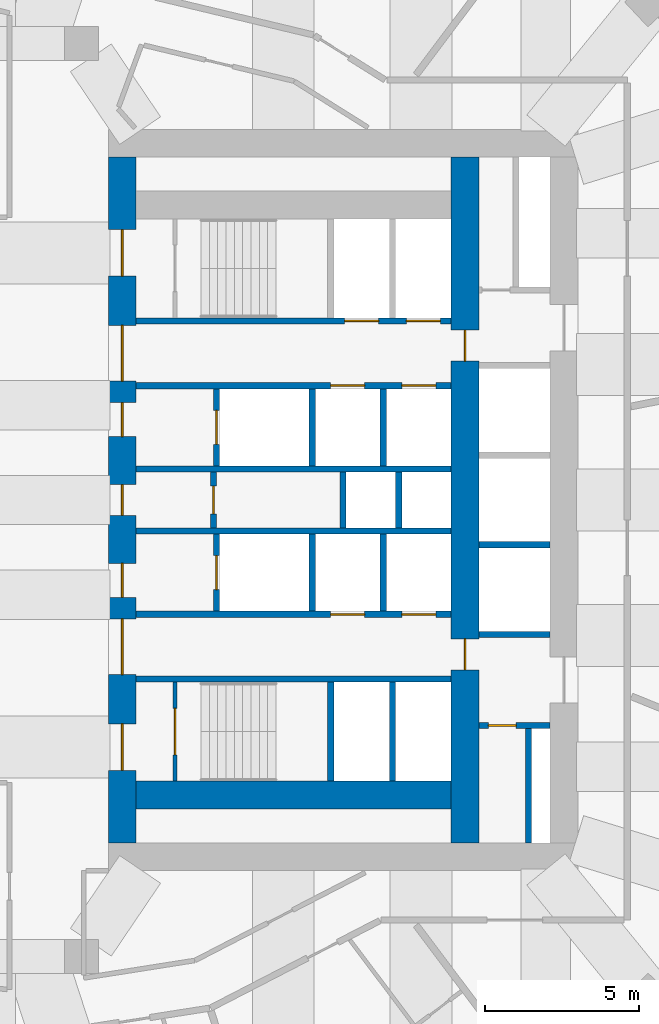
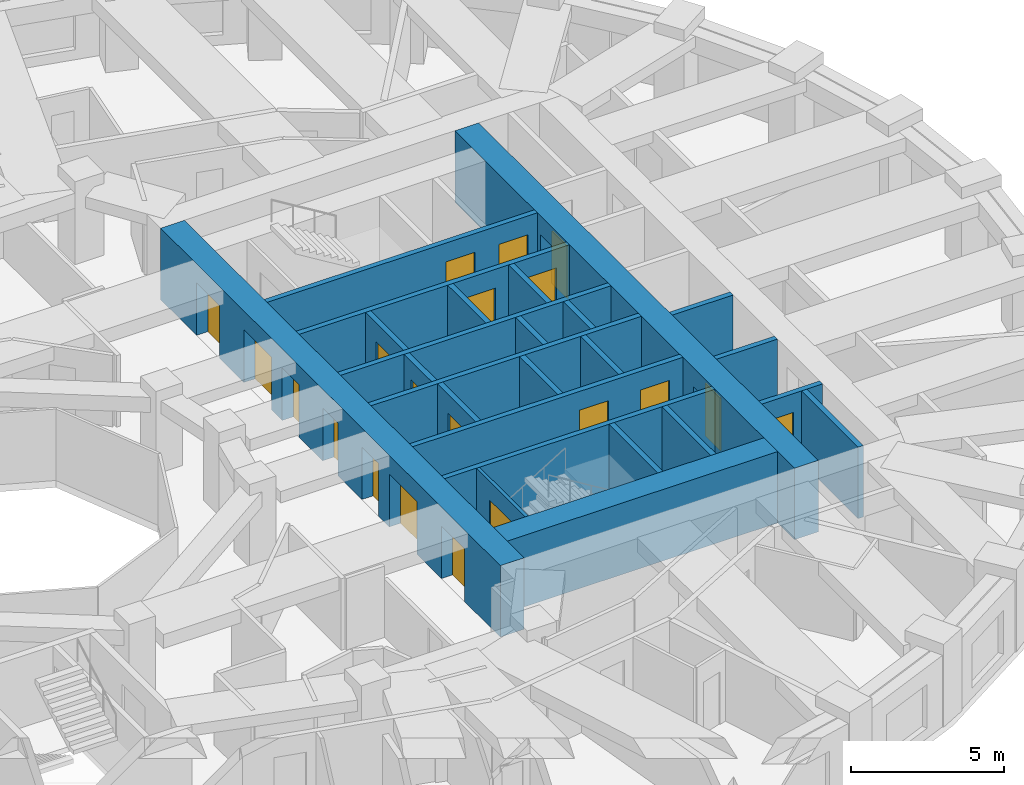
# One storey, part 6 of 13: 25 walls, 20 doors, 20 openings.
"""IFC4 building model written with IfcOpenShell, lengths in metres."""

from ifc_helpers import new_model, si_unit, direction, frame, frame_2d, origin, place, context, subcontext, project, spatial, rectangle, extrude, material, layer, layer_set, type_object, element, fill, save


model = new_model("IFC4")

# Units and contexts
model_context = context("Model", 3, precision=1e-05, world=origin(), true_north=direction((0.0, 1.0)))
body_context = subcontext(model_context, "Body", "Model", "MODEL_VIEW")
ifc_project = project(units=[si_unit("LENGTHUNIT", "METRE"), si_unit("AREAUNIT", "SQUARE_METRE"), si_unit("VOLUMEUNIT", "CUBIC_METRE"), si_unit("PLANEANGLEUNIT", "RADIAN"), si_unit("MASSUNIT", "GRAM", prefix="KILO")], contexts=[model_context])

# Site, building, storey
site_placement = place(None, origin())
site = spatial("IfcSite", under=ifc_project, at=site_placement, CompositionType="ELEMENT")
building_placement = place(site_placement, origin())
building = spatial("IfcBuilding", under=site, at=building_placement, Name="Taillehof Tower", CompositionType="ELEMENT")
storey_placement = place(building_placement, frame((0.0, 0.0, 81.10009765625)))
storey = spatial("IfcBuildingStorey", under=building, at=storey_placement, Name="L22", CompositionType="ELEMENT", Elevation=81.10009765625)

# Wall, opening, door
ifc_material_1 = material(Name="Calcium silicate masonry", Category="masonry")
ifc_layer_1 = layer(ifc_material_1, 0.199951171875)
ifc_layer_set_1 = layer_set([ifc_layer_1], Name="Compartment wall calcium silicate 200")
wall_type_1 = type_object("IfcWallType", Name="Compartment wall calcium silicate 200", PredefinedType="PARTITIONING", material=ifc_layer_set_1)
wall_1_placement = place(storey_placement, frame((7.39990234375, -0.89990234375, 0.0), z_axis=(0.0, 0.0, 1.0), x_axis=(0.0, 1.0, 0.0)))
wall_1 = element("IfcWall", 1, at=wall_1_placement, inside=storey, type_object=wall_type_1, Name="Compartment wall FW", PredefinedType="PARTITIONING", context=body_context, shape_type="SweptSolid", body=[
    extrude(rectangle(XDim=1.7998046875, YDim=0.199951171875, at=frame_2d((0.89990234375, 0.0))), origin(), (0.0, 0.0, 1.0), 2.849853515625),
])
opening_1_placement = place(wall_1_placement, frame((0.449951171875, 0.0, 0.0)))
opening_1 = element("IfcOpeningElement", 2, at=opening_1_placement, cuts=wall_1, Name="Opening D2214", PredefinedType="OPENING", context=body_context, shape_type="SweptSolid", body=[
    extrude(rectangle(XDim=0.89990234375, YDim=2.10009765625, at=frame_2d((0.449951171875, 1.050048828125))), frame((0.0, 0.10986328125, 0.0), z_axis=(0.0, -1.0, 0.0), x_axis=(1.0, 0.0, 0.0)), (0.0, 0.0, 1.0), 0.219970703125),
])
ifc_material_2 = material(Name="Steel-faced fire door", Category="steel")
door_type_1 = type_object("IfcDoorType", Name="Riser and service room door 900x2100", OperationType="SINGLE_SWING_LEFT", PredefinedType="DOOR", material=ifc_material_2)
door_1_placement = place(opening_1_placement, origin())
door_1 = element("IfcDoor", 3, at=door_1_placement, inside=storey, type_object=door_type_1, Name="Door Bms Room", OperationType="SINGLE_SWING_RIGHT", OverallHeight=2.10009765625, OverallWidth=0.89990234375, PredefinedType="DOOR", context=body_context, shape_type="SweptSolid", body=[
    extrude(rectangle(XDim=0.89990234375, YDim=2.10009765625, at=frame_2d((0.449951171875, 1.050048828125))), frame((0.0, 0.02490234375, 0.0), z_axis=(0.0, -1.0, 0.0), x_axis=(1.0, 0.0, 0.0)), (0.0, 0.0, 1.0), 0.050048828125),
])
fill(opening_1, door_1)

# Walls
for number, where, z_axis, x_axis, name in (
    (4, (11.60009765625, -0.89990234375, 0.0), (0.0, 0.0, 1.0), (0.0, 1.0, 0.0), "Compartment wall FW"),
    (5, (13.39990234375, -0.89990234375, 0.0), (0.0, 0.0, 1.0), (0.0, 1.0, 0.0), "Compartment wall FW"),
):
    element("IfcWall", number, at=place(storey_placement, frame(where, z_axis=z_axis, x_axis=x_axis)), inside=storey, type_object=wall_type_1, Name=name, PredefinedType="PARTITIONING", context=body_context, shape_type="SweptSolid", body=[
        extrude(rectangle(XDim=1.7998046875, YDim=0.199951171875, at=frame_2d((0.89990234375, 0.0))), origin(), (0.0, 0.0, 1.0), 2.849853515625),
    ])

# Wall, opening, door
wall_2_placement = place(storey_placement, frame((16.0, -7.300048828125, 0.0), z_axis=(0.0, 0.0, 1.0), x_axis=(1.0, 0.0, 0.0)))
wall_2 = element("IfcWall", 6, at=wall_2_placement, inside=storey, type_object=wall_type_1, Name="Compartment wall FW", PredefinedType="PARTITIONING", context=body_context, shape_type="SweptSolid", body=[
    extrude(rectangle(XDim=2.300048828125, YDim=0.199951171875, at=frame_2d((1.14990234375, 0.0))), origin(), (0.0, 0.0, 1.0), 2.849853515625),
])
opening_2_placement = place(wall_2_placement, frame((0.300048828125, 0.0, 0.0)))
opening_2 = element("IfcOpeningElement", 7, at=opening_2_placement, cuts=wall_2, Name="Opening D2218", PredefinedType="OPENING", context=body_context, shape_type="SweptSolid", body=[
    extrude(rectangle(XDim=0.89990234375, YDim=2.10009765625, at=frame_2d((0.449951171875, 1.050048828125))), frame((0.0, 0.10986328125, 0.0), z_axis=(0.0, -1.0, 0.0), x_axis=(1.0, 0.0, 0.0)), (0.0, 0.0, 1.0), 0.219970703125),
])
door_2_placement = place(opening_2_placement, origin())
door_2 = element("IfcDoor", 8, at=door_2_placement, inside=storey, type_object=door_type_1, Name="Door Battery Room", OperationType="SINGLE_SWING_LEFT", OverallHeight=2.10009765625, OverallWidth=0.89990234375, PredefinedType="DOOR", context=body_context, shape_type="SweptSolid", body=[
    extrude(rectangle(XDim=0.89990234375, YDim=2.10009765625, at=frame_2d((0.449951171875, 1.050048828125))), frame((0.0, 0.02490234375, 0.0), z_axis=(0.0, -1.0, 0.0), x_axis=(1.0, 0.0, 0.0)), (0.0, 0.0, 1.0), 0.050048828125),
])
fill(opening_2, door_2)

# Wall
wall_3_placement = place(storey_placement, frame((17.60009765625, -11.10009765625, 0.0), z_axis=(0.0, 0.0, 1.0), x_axis=(0.0, 1.0, 0.0)))
element("IfcWall", 9, at=wall_3_placement, inside=storey, type_object=wall_type_1, Name="Compartment wall FW", PredefinedType="PARTITIONING", context=body_context, shape_type="SweptSolid", body=[
    extrude(rectangle(XDim=3.7001953125, YDim=0.199951171875, at=frame_2d((1.85009765625, 0.0))), origin(), (0.0, 0.0, 1.0), 2.849853515625),
])

# Wall, openings, doors
ifc_material_3 = material(Name="Concrete C80/95", Category="concrete")
ifc_layer_2 = layer(ifc_material_3, 0.89990234375)
ifc_layer_set_2 = layer_set([ifc_layer_2], Name="Core wall C80/95 900")
wall_type_2 = type_object("IfcWallType", Name="Core wall C80/95 900", PredefinedType="SHEAR", material=ifc_layer_set_2)
wall_4_placement = place(storey_placement, frame((4.449951171875, -11.10009765625, 0.0), z_axis=(0.0, 0.0, 1.0), x_axis=(0.0, 1.0, 0.0)))
wall_4 = element("IfcWall", 10, at=wall_4_placement, inside=storey, type_object=wall_type_2, Name="Core wall CW01", PredefinedType="SHEAR", context=body_context, shape_type="SweptSolid", body=[
    extrude(rectangle(XDim=22.2001953125, YDim=0.89990234375, at=frame_2d((11.10009765625, 0.0))), origin(), (0.0, 0.0, 1.0), 2.849853515625),
])
opening_3_placement = place(wall_4_placement, frame((2.35009765625, 0.0, 0.0)))
opening_3 = element("IfcOpeningElement", 11, at=opening_3_placement, cuts=wall_4, Name="Opening D2201", PredefinedType="OPENING", context=body_context, shape_type="SweptSolid", body=[
    extrude(rectangle(XDim=1.5, YDim=2.10009765625, at=frame_2d((0.75, 1.050048828125))), frame((0.0, 0.4599609375, 0.0), z_axis=(0.0, -1.0, 0.0), x_axis=(1.0, 0.0, 0.0)), (0.0, 0.0, 1.0), 0.919921875),
])
opening_4_placement = place(wall_4_placement, frame((5.449951171875, 0.0, 0.0)))
opening_4 = element("IfcOpeningElement", 12, at=opening_4_placement, cuts=wall_4, Name="Opening D2202", PredefinedType="OPENING", context=body_context, shape_type="SweptSolid", body=[
    extrude(rectangle(XDim=1.800048828125, YDim=2.10009765625, at=frame_2d((0.89990234375, 1.050048828125))), frame((0.0, 0.4599609375, 0.0), z_axis=(0.0, -1.0, 0.0), x_axis=(1.0, 0.0, 0.0)), (0.0, 0.0, 1.0), 0.919921875),
])
opening_5_placement = place(wall_4_placement, frame((7.949951171875, 0.0, 0.0)))
opening_5 = element("IfcOpeningElement", 13, at=opening_5_placement, cuts=wall_4, Name="Opening D2203", PredefinedType="OPENING", context=body_context, shape_type="SweptSolid", body=[
    extrude(rectangle(XDim=1.10009765625, YDim=2.10009765625, at=frame_2d((0.550048828125, 1.050048828125))), frame((0.0, 0.4599609375, 0.0), z_axis=(0.0, -1.0, 0.0), x_axis=(1.0, 0.0, 0.0)), (0.0, 0.0, 1.0), 0.919921875),
])
opening_6_placement = place(wall_4_placement, frame((10.60009765625, 0.0, 0.0)))
opening_6 = element("IfcOpeningElement", 14, at=opening_6_placement, cuts=wall_4, Name="Opening D2204", PredefinedType="OPENING", context=body_context, shape_type="SweptSolid", body=[
    extrude(rectangle(XDim=1.0, YDim=2.10009765625, at=frame_2d((0.5, 1.050048828125))), frame((0.0, 0.4599609375, 0.0), z_axis=(0.0, -1.0, 0.0), x_axis=(1.0, 0.0, 0.0)), (0.0, 0.0, 1.0), 0.919921875),
])
opening_7_placement = place(wall_4_placement, frame((13.14990234375, 0.0, 0.0)))
opening_7 = element("IfcOpeningElement", 15, at=opening_7_placement, cuts=wall_4, Name="Opening D2205", PredefinedType="OPENING", context=body_context, shape_type="SweptSolid", body=[
    extrude(rectangle(XDim=1.10009765625, YDim=2.10009765625, at=frame_2d((0.550048828125, 1.050048828125))), frame((0.0, 0.4599609375, 0.0), z_axis=(0.0, -1.0, 0.0), x_axis=(1.0, 0.0, 0.0)), (0.0, 0.0, 1.0), 0.919921875),
])
opening_8_placement = place(wall_4_placement, frame((14.949951171875, 0.0, 0.0)))
opening_8 = element("IfcOpeningElement", 16, at=opening_8_placement, cuts=wall_4, Name="Opening D2206", PredefinedType="OPENING", context=body_context, shape_type="SweptSolid", body=[
    extrude(rectangle(XDim=1.800048828125, YDim=2.10009765625, at=frame_2d((0.89990234375, 1.050048828125))), frame((0.0, 0.4599609375, 0.0), z_axis=(0.0, -1.0, 0.0), x_axis=(1.0, 0.0, 0.0)), (0.0, 0.0, 1.0), 0.919921875),
])
opening_9_placement = place(wall_4_placement, frame((18.35009765625, 0.0, 0.0)))
opening_9 = element("IfcOpeningElement", 17, at=opening_9_placement, cuts=wall_4, Name="Opening D2207", PredefinedType="OPENING", context=body_context, shape_type="SweptSolid", body=[
    extrude(rectangle(XDim=1.5, YDim=2.10009765625, at=frame_2d((0.75, 1.050048828125))), frame((0.0, 0.4599609375, 0.0), z_axis=(0.0, -1.0, 0.0), x_axis=(1.0, 0.0, 0.0)), (0.0, 0.0, 1.0), 0.919921875),
])
ifc_material_4 = material(Name="Steel-faced fire door", Category="steel")
door_type_2 = type_object("IfcDoorType", Name="Firefighting lobby door 1100x2100", OperationType="SINGLE_SWING_RIGHT", PredefinedType="DOOR", material=ifc_material_4)
door_3_placement = place(opening_5_placement, origin())
door_3 = element("IfcDoor", 18, at=door_3_placement, inside=storey, type_object=door_type_2, Name="Firefighting lobby door FFL-S", OperationType="SINGLE_SWING_RIGHT", OverallHeight=2.10009765625, OverallWidth=1.10009765625, PredefinedType="DOOR", context=body_context, shape_type="SweptSolid", body=[
    extrude(rectangle(XDim=1.10009765625, YDim=2.10009765625, at=frame_2d((0.550048828125, 1.050048828125))), frame((0.0, 0.02490234375, 0.0), z_axis=(0.0, -1.0, 0.0), x_axis=(1.0, 0.0, 0.0)), (0.0, 0.0, 1.0), 0.050048828125),
])
fill(opening_5, door_3)
door_4_placement = place(opening_7_placement, origin())
door_4 = element("IfcDoor", 19, at=door_4_placement, inside=storey, type_object=door_type_2, Name="Firefighting lobby door FFL-N", OperationType="SINGLE_SWING_LEFT", OverallHeight=2.10009765625, OverallWidth=1.10009765625, PredefinedType="DOOR", context=body_context, shape_type="SweptSolid", body=[
    extrude(rectangle(XDim=1.10009765625, YDim=2.10009765625, at=frame_2d((0.550048828125, 1.050048828125))), frame((0.0, 0.02490234375, 0.0), z_axis=(0.0, -1.0, 0.0), x_axis=(1.0, 0.0, 0.0)), (0.0, 0.0, 1.0), 0.050048828125),
])
fill(opening_7, door_4)
ifc_material_5 = material(Name="Steel-faced fire door", Category="steel")
door_type_3 = type_object("IfcDoorType", Name="Lift lobby door 1800x2100", OperationType="DOUBLE_DOOR_SINGLE_SWING", PredefinedType="DOOR", material=ifc_material_5)
door_5_placement = place(opening_4_placement, origin())
door_5 = element("IfcDoor", 20, at=door_5_placement, inside=storey, type_object=door_type_3, Name="Lift lobby door LL-S", OperationType="DOUBLE_DOOR_SINGLE_SWING", OverallHeight=2.10009765625, OverallWidth=1.800048828125, PredefinedType="DOOR", context=body_context, shape_type="SweptSolid", body=[
    extrude(rectangle(XDim=1.800048828125, YDim=2.10009765625, at=frame_2d((0.89990234375, 1.050048828125))), frame((0.0, 0.02490234375, 0.0), z_axis=(0.0, -1.0, 0.0), x_axis=(1.0, 0.0, 0.0)), (0.0, 0.0, 1.0), 0.050048828125),
])
fill(opening_4, door_5)
door_6_placement = place(opening_8_placement, origin())
door_6 = element("IfcDoor", 21, at=door_6_placement, inside=storey, type_object=door_type_3, Name="Lift lobby door LL-N", OperationType="DOUBLE_DOOR_SINGLE_SWING", OverallHeight=2.10009765625, OverallWidth=1.800048828125, PredefinedType="DOOR", context=body_context, shape_type="SweptSolid", body=[
    extrude(rectangle(XDim=1.800048828125, YDim=2.10009765625, at=frame_2d((0.89990234375, 1.050048828125))), frame((0.0, 0.02490234375, 0.0), z_axis=(0.0, -1.0, 0.0), x_axis=(1.0, 0.0, 0.0)), (0.0, 0.0, 1.0), 0.050048828125),
])
fill(opening_8, door_6)
ifc_material_6 = material(Name="Steel-faced fire door", Category="steel")
door_type_4 = type_object("IfcDoorType", Name="Service door 1000x2100", OperationType="SINGLE_SWING_RIGHT", PredefinedType="DOOR", material=ifc_material_6)
door_7_placement = place(opening_6_placement, origin())
door_7 = element("IfcDoor", 22, at=door_7_placement, inside=storey, type_object=door_type_4, Name="Service door SV", OperationType="SINGLE_SWING_RIGHT", OverallHeight=2.10009765625, OverallWidth=1.0, PredefinedType="DOOR", context=body_context, shape_type="SweptSolid", body=[
    extrude(rectangle(XDim=1.0, YDim=2.10009765625, at=frame_2d((0.5, 1.050048828125))), frame((0.0, 0.02490234375, 0.0), z_axis=(0.0, -1.0, 0.0), x_axis=(1.0, 0.0, 0.0)), (0.0, 0.0, 1.0), 0.050048828125),
])
fill(opening_6, door_7)
ifc_material_7 = material(Name="Steel-faced fire door", Category="steel")
door_type_5 = type_object("IfcDoorType", Name="Stair door 1500x2100", OperationType="DOUBLE_DOOR_SINGLE_SWING", PredefinedType="DOOR", material=ifc_material_7)
door_8_placement = place(opening_3_placement, origin())
door_8 = element("IfcDoor", 23, at=door_8_placement, inside=storey, type_object=door_type_5, Name="Stair door S2", OperationType="DOUBLE_DOOR_SINGLE_SWING", OverallHeight=2.10009765625, OverallWidth=1.5, PredefinedType="DOOR", context=body_context, shape_type="SweptSolid", body=[
    extrude(rectangle(XDim=1.5, YDim=2.10009765625, at=frame_2d((0.75, 1.050048828125))), frame((0.0, 0.02490234375, 0.0), z_axis=(0.0, -1.0, 0.0), x_axis=(1.0, 0.0, 0.0)), (0.0, 0.0, 1.0), 0.050048828125),
])
fill(opening_3, door_8)
door_9_placement = place(opening_9_placement, origin())
door_9 = element("IfcDoor", 24, at=door_9_placement, inside=storey, type_object=door_type_5, Name="Stair door S1", OperationType="DOUBLE_DOOR_SINGLE_SWING", OverallHeight=2.10009765625, OverallWidth=1.5, PredefinedType="DOOR", context=body_context, shape_type="SweptSolid", body=[
    extrude(rectangle(XDim=1.5, YDim=2.10009765625, at=frame_2d((0.75, 1.050048828125))), frame((0.0, 0.02490234375, 0.0), z_axis=(0.0, -1.0, 0.0), x_axis=(1.0, 0.0, 0.0)), (0.0, 0.0, 1.0), 0.050048828125),
])
fill(opening_9, door_9)

wall_5_placement = place(storey_placement, frame((15.550048828125, -11.10009765625, 0.0), z_axis=(0.0, 0.0, 1.0), x_axis=(0.0, 1.0, 0.0)))
wall_5 = element("IfcWall", 25, at=wall_5_placement, inside=storey, type_object=wall_type_2, Name="Core wall CW05", PredefinedType="SHEAR", context=body_context, shape_type="SweptSolid", body=[
    extrude(rectangle(XDim=22.2001953125, YDim=0.89990234375, at=frame_2d((11.10009765625, 0.0))), origin(), (0.0, 0.0, 1.0), 2.849853515625),
])
opening_10_placement = place(wall_5_placement, frame((15.60009765625, 0.0, 0.0)))
opening_10 = element("IfcOpeningElement", 26, at=opening_10_placement, cuts=wall_5, Name="Opening D2215", PredefinedType="OPENING", context=body_context, shape_type="SweptSolid", body=[
    extrude(rectangle(XDim=1.0, YDim=2.10009765625, at=frame_2d((0.5, 1.050048828125))), frame((0.0, 0.4599609375, 0.0), z_axis=(0.0, -1.0, 0.0), x_axis=(1.0, 0.0, 0.0)), (0.0, 0.0, 1.0), 0.919921875),
])
opening_11_placement = place(wall_5_placement, frame((5.60009765625, 0.0, 0.0)))
opening_11 = element("IfcOpeningElement", 27, at=opening_11_placement, cuts=wall_5, Name="Opening D2217", PredefinedType="OPENING", context=body_context, shape_type="SweptSolid", body=[
    extrude(rectangle(XDim=1.0, YDim=2.10009765625, at=frame_2d((0.5, 1.050048828125))), frame((0.0, 0.4599609375, 0.0), z_axis=(0.0, -1.0, 0.0), x_axis=(1.0, 0.0, 0.0)), (0.0, 0.0, 1.0), 0.919921875),
])
door_10_placement = place(opening_10_placement, origin())
door_10 = element("IfcDoor", 28, at=door_10_placement, inside=storey, type_object=door_type_4, Name="Service door strip", OperationType="SINGLE_SWING_RIGHT", OverallHeight=2.10009765625, OverallWidth=1.0, PredefinedType="DOOR", context=body_context, shape_type="SweptSolid", body=[
    extrude(rectangle(XDim=1.0, YDim=2.10009765625, at=frame_2d((0.5, 1.050048828125))), frame((0.0, 0.02490234375, 0.0), z_axis=(0.0, -1.0, 0.0), x_axis=(1.0, 0.0, 0.0)), (0.0, 0.0, 1.0), 0.050048828125),
])
fill(opening_10, door_10)
door_11_placement = place(opening_11_placement, origin())
door_11 = element("IfcDoor", 29, at=door_11_placement, inside=storey, type_object=door_type_4, Name="Service door strip", OperationType="SINGLE_SWING_LEFT", OverallHeight=2.10009765625, OverallWidth=1.0, PredefinedType="DOOR", context=body_context, shape_type="SweptSolid", body=[
    extrude(rectangle(XDim=1.0, YDim=2.10009765625, at=frame_2d((0.5, 1.050048828125))), frame((0.0, 0.02490234375, 0.0), z_axis=(0.0, -1.0, 0.0), x_axis=(1.0, 0.0, 0.0)), (0.0, 0.0, 1.0), 0.050048828125),
])
fill(opening_11, door_11)

# Wall
wall_6_placement = place(storey_placement, frame((4.89990234375, -9.550048828125, 0.0), z_axis=(0.0, 0.0, 1.0), x_axis=(1.0, 0.0, 0.0)))
element("IfcWall", 30, at=wall_6_placement, inside=storey, type_object=wall_type_2, Name="Core wall CW07", PredefinedType="SHEAR", context=body_context, shape_type="SweptSolid", body=[
    extrude(rectangle(XDim=10.2001953125, YDim=0.89990234375, at=frame_2d((5.10009765625, 0.0))), origin(), (0.0, 0.0, 1.0), 2.849853515625),
])

# Wall, openings, doors
ifc_material_8 = material(Name="Concrete C50/60", Category="concrete")
ifc_layer_3 = layer(ifc_material_8, 0.199951171875)
ifc_layer_set_3 = layer_set([ifc_layer_3], Name="Shaft wall C50/60 200")
wall_type_3 = type_object("IfcWallType", Name="Shaft wall C50/60 200", PredefinedType="SHEAR", material=ifc_layer_set_3)
wall_7_placement = place(storey_placement, frame((4.89990234375, 5.800048828125, 0.0), z_axis=(0.0, 0.0, 1.0), x_axis=(1.0, 0.0, 0.0)))
wall_7 = element("IfcWall", 31, at=wall_7_placement, inside=storey, type_object=wall_type_3, Name="Shaft wall SW", PredefinedType="SHEAR", context=body_context, shape_type="SweptSolid", body=[
    extrude(rectangle(XDim=10.2001953125, YDim=0.199951171875, at=frame_2d((5.10009765625, 0.0))), origin(), (0.0, 0.0, 1.0), 2.849853515625),
])
opening_12_placement = place(wall_7_placement, frame((6.75, 0.0, 0.0)))
opening_12 = element("IfcOpeningElement", 32, at=opening_12_placement, cuts=wall_7, Name="Opening LD1", PredefinedType="OPENING", context=body_context, shape_type="SweptSolid", body=[
    extrude(rectangle(XDim=1.10009765625, YDim=2.10009765625, at=frame_2d((0.550048828125, 1.050048828125))), frame((0.0, 0.10986328125, 0.0), z_axis=(0.0, -1.0, 0.0), x_axis=(1.0, 0.0, 0.0)), (0.0, 0.0, 1.0), 0.219970703125),
])
opening_13_placement = place(wall_7_placement, frame((8.75, 0.0, 0.0)))
opening_13 = element("IfcOpeningElement", 33, at=opening_13_placement, cuts=wall_7, Name="Opening LD1", PredefinedType="OPENING", context=body_context, shape_type="SweptSolid", body=[
    extrude(rectangle(XDim=1.10009765625, YDim=2.10009765625, at=frame_2d((0.550048828125, 1.050048828125))), frame((0.0, 0.10986328125, 0.0), z_axis=(0.0, -1.0, 0.0), x_axis=(1.0, 0.0, 0.0)), (0.0, 0.0, 1.0), 0.219970703125),
])
ifc_material_9 = material(Name="Stainless steel", Category="steel")
door_type_6 = type_object("IfcDoorType", Name="Lift landing door LD1 1100x2100", OperationType="DOUBLE_DOOR_SLIDING", PredefinedType="DOOR", material=ifc_material_9)
door_12_placement = place(opening_12_placement, origin())
door_12 = element("IfcDoor", 34, at=door_12_placement, inside=storey, type_object=door_type_6, Name="Landing door LR1", OperationType="DOUBLE_DOOR_SLIDING", OverallHeight=2.10009765625, OverallWidth=1.10009765625, PredefinedType="DOOR", context=body_context, shape_type="SweptSolid", body=[
    extrude(rectangle(XDim=1.10009765625, YDim=2.10009765625, at=frame_2d((0.550048828125, 1.050048828125))), frame((0.0, 0.02490234375, 0.0), z_axis=(0.0, -1.0, 0.0), x_axis=(1.0, 0.0, 0.0)), (0.0, 0.0, 1.0), 0.050048828125),
])
fill(opening_12, door_12)
door_13_placement = place(opening_13_placement, origin())
door_13 = element("IfcDoor", 35, at=door_13_placement, inside=storey, type_object=door_type_6, Name="Landing door LR2", OperationType="DOUBLE_DOOR_SLIDING", OverallHeight=2.10009765625, OverallWidth=1.10009765625, PredefinedType="DOOR", context=body_context, shape_type="SweptSolid", body=[
    extrude(rectangle(XDim=1.10009765625, YDim=2.10009765625, at=frame_2d((0.550048828125, 1.050048828125))), frame((0.0, 0.02490234375, 0.0), z_axis=(0.0, -1.0, 0.0), x_axis=(1.0, 0.0, 0.0)), (0.0, 0.0, 1.0), 0.050048828125),
])
fill(opening_13, door_13)

wall_8_placement = place(storey_placement, frame((4.89990234375, 3.699951171875, 0.0), z_axis=(0.0, 0.0, 1.0), x_axis=(1.0, 0.0, 0.0)))
wall_8 = element("IfcWall", 36, at=wall_8_placement, inside=storey, type_object=wall_type_3, Name="Shaft wall SW", PredefinedType="SHEAR", context=body_context, shape_type="SweptSolid", body=[
    extrude(rectangle(XDim=10.2001953125, YDim=0.199951171875, at=frame_2d((5.10009765625, 0.0))), origin(), (0.0, 0.0, 1.0), 2.849853515625),
])
opening_14_placement = place(wall_8_placement, frame((6.300048828125, 0.0, 0.0)))
opening_14 = element("IfcOpeningElement", 37, at=opening_14_placement, cuts=wall_8, Name="Opening LD1", PredefinedType="OPENING", context=body_context, shape_type="SweptSolid", body=[
    extrude(rectangle(XDim=1.10009765625, YDim=2.10009765625, at=frame_2d((0.550048828125, 1.050048828125))), frame((0.0, 0.10986328125, 0.0), z_axis=(0.0, -1.0, 0.0), x_axis=(1.0, 0.0, 0.0)), (0.0, 0.0, 1.0), 0.219970703125),
])
opening_15_placement = place(wall_8_placement, frame((8.60009765625, 0.0, 0.0)))
opening_15 = element("IfcOpeningElement", 38, at=opening_15_placement, cuts=wall_8, Name="Opening LD1", PredefinedType="OPENING", context=body_context, shape_type="SweptSolid", body=[
    extrude(rectangle(XDim=1.10009765625, YDim=2.10009765625, at=frame_2d((0.550048828125, 1.050048828125))), frame((0.0, 0.10986328125, 0.0), z_axis=(0.0, -1.0, 0.0), x_axis=(1.0, 0.0, 0.0)), (0.0, 0.0, 1.0), 0.219970703125),
])
door_14_placement = place(opening_14_placement, origin())
door_14 = element("IfcDoor", 39, at=door_14_placement, inside=storey, type_object=door_type_6, Name="Landing door LR3", OperationType="DOUBLE_DOOR_SLIDING", OverallHeight=2.10009765625, OverallWidth=1.10009765625, PredefinedType="DOOR", context=body_context, shape_type="SweptSolid", body=[
    extrude(rectangle(XDim=1.10009765625, YDim=2.10009765625, at=frame_2d((0.550048828125, 1.050048828125))), frame((0.0, 0.02490234375, 0.0), z_axis=(0.0, -1.0, 0.0), x_axis=(1.0, 0.0, 0.0)), (0.0, 0.0, 1.0), 0.050048828125),
])
fill(opening_14, door_14)
door_15_placement = place(opening_15_placement, origin())
door_15 = element("IfcDoor", 40, at=door_15_placement, inside=storey, type_object=door_type_6, Name="Landing door LR4", OperationType="DOUBLE_DOOR_SLIDING", OverallHeight=2.10009765625, OverallWidth=1.10009765625, PredefinedType="DOOR", context=body_context, shape_type="SweptSolid", body=[
    extrude(rectangle(XDim=1.10009765625, YDim=2.10009765625, at=frame_2d((0.550048828125, 1.050048828125))), frame((0.0, 0.02490234375, 0.0), z_axis=(0.0, -1.0, 0.0), x_axis=(1.0, 0.0, 0.0)), (0.0, 0.0, 1.0), 0.050048828125),
])
fill(opening_15, door_15)

# Walls
for number, where, z_axis, x_axis, name in (
    (41, (4.89990234375, 1.0, 0.0), (0.0, 0.0, 1.0), (1.0, 0.0, 0.0), "Shaft wall SW"),
    (42, (4.89990234375, -1.0, 0.0), (0.0, 0.0, 1.0), (1.0, 0.0, 0.0), "Shaft wall SW"),
):
    element("IfcWall", number, at=place(storey_placement, frame(where, z_axis=z_axis, x_axis=x_axis)), inside=storey, type_object=wall_type_3, Name=name, PredefinedType="SHEAR", context=body_context, shape_type="SweptSolid", body=[
        extrude(rectangle(XDim=10.2001953125, YDim=0.199951171875, at=frame_2d((5.10009765625, 0.0))), origin(), (0.0, 0.0, 1.0), 2.849853515625),
    ])

# Wall, openings, doors
wall_9_placement = place(storey_placement, frame((4.89990234375, -3.699951171875, 0.0), z_axis=(0.0, 0.0, 1.0), x_axis=(1.0, 0.0, 0.0)))
wall_9 = element("IfcWall", 43, at=wall_9_placement, inside=storey, type_object=wall_type_3, Name="Shaft wall SW", PredefinedType="SHEAR", context=body_context, shape_type="SweptSolid", body=[
    extrude(rectangle(XDim=10.2001953125, YDim=0.199951171875, at=frame_2d((5.10009765625, 0.0))), origin(), (0.0, 0.0, 1.0), 2.849853515625),
])
opening_16_placement = place(wall_9_placement, frame((6.300048828125, 0.0, 0.0)))
opening_16 = element("IfcOpeningElement", 44, at=opening_16_placement, cuts=wall_9, Name="Opening LD1", PredefinedType="OPENING", context=body_context, shape_type="SweptSolid", body=[
    extrude(rectangle(XDim=1.10009765625, YDim=2.10009765625, at=frame_2d((0.550048828125, 1.050048828125))), frame((0.0, 0.10986328125, 0.0), z_axis=(0.0, -1.0, 0.0), x_axis=(1.0, 0.0, 0.0)), (0.0, 0.0, 1.0), 0.219970703125),
])
opening_17_placement = place(wall_9_placement, frame((8.60009765625, 0.0, 0.0)))
opening_17 = element("IfcOpeningElement", 45, at=opening_17_placement, cuts=wall_9, Name="Opening LD1", PredefinedType="OPENING", context=body_context, shape_type="SweptSolid", body=[
    extrude(rectangle(XDim=1.10009765625, YDim=2.10009765625, at=frame_2d((0.550048828125, 1.050048828125))), frame((0.0, 0.10986328125, 0.0), z_axis=(0.0, -1.0, 0.0), x_axis=(1.0, 0.0, 0.0)), (0.0, 0.0, 1.0), 0.219970703125),
])
door_16_placement = place(opening_16_placement, origin())
door_16 = element("IfcDoor", 46, at=door_16_placement, inside=storey, type_object=door_type_6, Name="Landing door LR5", OperationType="DOUBLE_DOOR_SLIDING", OverallHeight=2.10009765625, OverallWidth=1.10009765625, PredefinedType="DOOR", context=body_context, shape_type="SweptSolid", body=[
    extrude(rectangle(XDim=1.10009765625, YDim=2.10009765625, at=frame_2d((0.550048828125, 1.050048828125))), frame((0.0, 0.02490234375, 0.0), z_axis=(0.0, -1.0, 0.0), x_axis=(1.0, 0.0, 0.0)), (0.0, 0.0, 1.0), 0.050048828125),
])
fill(opening_16, door_16)
door_17_placement = place(opening_17_placement, origin())
door_17 = element("IfcDoor", 47, at=door_17_placement, inside=storey, type_object=door_type_6, Name="Landing door LR6", OperationType="DOUBLE_DOOR_SLIDING", OverallHeight=2.10009765625, OverallWidth=1.10009765625, PredefinedType="DOOR", context=body_context, shape_type="SweptSolid", body=[
    extrude(rectangle(XDim=1.10009765625, YDim=2.10009765625, at=frame_2d((0.550048828125, 1.050048828125))), frame((0.0, 0.02490234375, 0.0), z_axis=(0.0, -1.0, 0.0), x_axis=(1.0, 0.0, 0.0)), (0.0, 0.0, 1.0), 0.050048828125),
])
fill(opening_17, door_17)

# Walls
wall_10_placement = place(storey_placement, frame((4.89990234375, -5.800048828125, 0.0), z_axis=(0.0, 0.0, 1.0), x_axis=(1.0, 0.0, 0.0)))
element("IfcWall", 48, at=wall_10_placement, inside=storey, type_object=wall_type_3, Name="Shaft wall SW", PredefinedType="SHEAR", context=body_context, shape_type="SweptSolid", body=[
    extrude(rectangle(XDim=10.2001953125, YDim=0.199951171875, at=frame_2d((5.10009765625, 0.0))), origin(), (0.0, 0.0, 1.0), 2.849853515625),
])
for number, where, z_axis, x_axis, name in (
    (49, (11.199951171875, -9.10009765625, 0.0), (0.0, 0.0, 1.0), (0.0, 1.0, 0.0), "Shaft wall SW"),
    (50, (13.199951171875, -9.10009765625, 0.0), (0.0, 0.0, 1.0), (0.0, 1.0, 0.0), "Shaft wall SW"),
):
    element("IfcWall", number, at=place(storey_placement, frame(where, z_axis=z_axis, x_axis=x_axis)), inside=storey, type_object=wall_type_3, Name=name, PredefinedType="SHEAR", context=body_context, shape_type="SweptSolid", body=[
        extrude(rectangle(XDim=3.2001953125, YDim=0.199951171875, at=frame_2d((1.60009765625, 0.0))), origin(), (0.0, 0.0, 1.0), 2.849853515625),
    ])

# Wall, opening, door
wall_11_placement = place(storey_placement, frame((7.5, 1.10009765625, 0.0), z_axis=(0.0, 0.0, 1.0), x_axis=(0.0, 1.0, 0.0)))
wall_11 = element("IfcWall", 51, at=wall_11_placement, inside=storey, type_object=wall_type_3, Name="Shaft wall SW", PredefinedType="SHEAR", context=body_context, shape_type="SweptSolid", body=[
    extrude(rectangle(XDim=2.5, YDim=0.199951171875, at=frame_2d((1.25, 0.0))), origin(), (0.0, 0.0, 1.0), 2.849853515625),
])
opening_18_placement = place(wall_11_placement, frame((0.699951171875, 0.0, 0.0)))
opening_18 = element("IfcOpeningElement", 52, at=opening_18_placement, cuts=wall_11, Name="Opening LD1", PredefinedType="OPENING", context=body_context, shape_type="SweptSolid", body=[
    extrude(rectangle(XDim=1.10009765625, YDim=2.10009765625, at=frame_2d((0.550048828125, 1.050048828125))), frame((0.0, 0.10986328125, 0.0), z_axis=(0.0, -1.0, 0.0), x_axis=(1.0, 0.0, 0.0)), (0.0, 0.0, 1.0), 0.219970703125),
])
door_18_placement = place(opening_18_placement, origin())
door_18 = element("IfcDoor", 53, at=door_18_placement, inside=storey, type_object=door_type_6, Name="Landing door FF1", OperationType="DOUBLE_DOOR_SLIDING", OverallHeight=2.10009765625, OverallWidth=1.10009765625, PredefinedType="DOOR", context=body_context, shape_type="SweptSolid", body=[
    extrude(rectangle(XDim=1.10009765625, YDim=2.10009765625, at=frame_2d((0.550048828125, 1.050048828125))), frame((0.0, 0.02490234375, 0.0), z_axis=(0.0, -1.0, 0.0), x_axis=(1.0, 0.0, 0.0)), (0.0, 0.0, 1.0), 0.050048828125),
])
fill(opening_18, door_18)

wall_12_placement = place(storey_placement, frame((7.5, -3.60009765625, 0.0), z_axis=(0.0, 0.0, 1.0), x_axis=(0.0, 1.0, 0.0)))
wall_12 = element("IfcWall", 54, at=wall_12_placement, inside=storey, type_object=wall_type_3, Name="Shaft wall SW", PredefinedType="SHEAR", context=body_context, shape_type="SweptSolid", body=[
    extrude(rectangle(XDim=2.5, YDim=0.199951171875, at=frame_2d((1.25, 0.0))), origin(), (0.0, 0.0, 1.0), 2.849853515625),
])
opening_19_placement = place(wall_12_placement, frame((0.699951171875, 0.0, 0.0)))
opening_19 = element("IfcOpeningElement", 55, at=opening_19_placement, cuts=wall_12, Name="Opening LD1", PredefinedType="OPENING", context=body_context, shape_type="SweptSolid", body=[
    extrude(rectangle(XDim=1.10009765625, YDim=2.10009765625, at=frame_2d((0.550048828125, 1.050048828125))), frame((0.0, 0.10986328125, 0.0), z_axis=(0.0, -1.0, 0.0), x_axis=(1.0, 0.0, 0.0)), (0.0, 0.0, 1.0), 0.219970703125),
])
door_19_placement = place(opening_19_placement, origin())
door_19 = element("IfcDoor", 56, at=door_19_placement, inside=storey, type_object=door_type_6, Name="Landing door FF2", OperationType="DOUBLE_DOOR_SLIDING", OverallHeight=2.10009765625, OverallWidth=1.10009765625, PredefinedType="DOOR", context=body_context, shape_type="SweptSolid", body=[
    extrude(rectangle(XDim=1.10009765625, YDim=2.10009765625, at=frame_2d((0.550048828125, 1.050048828125))), frame((0.0, 0.02490234375, 0.0), z_axis=(0.0, -1.0, 0.0), x_axis=(1.0, 0.0, 0.0)), (0.0, 0.0, 1.0), 0.050048828125),
])
fill(opening_19, door_19)

# Walls
for number, where, z_axis, x_axis, name in (
    (57, (10.60009765625, 1.10009765625, 0.0), (0.0, 0.0, 1.0), (0.0, 1.0, 0.0), "Shaft wall SW"),
    (58, (10.60009765625, -3.60009765625, 0.0), (0.0, 0.0, 1.0), (0.0, 1.0, 0.0), "Shaft wall SW"),
    (59, (12.89990234375, 1.10009765625, 0.0), (0.0, 0.0, 1.0), (0.0, 1.0, 0.0), "Shaft wall SW"),
    (60, (12.89990234375, -3.60009765625, 0.0), (0.0, 0.0, 1.0), (0.0, 1.0, 0.0), "Shaft wall SW"),
):
    element("IfcWall", number, at=place(storey_placement, frame(where, z_axis=z_axis, x_axis=x_axis)), inside=storey, type_object=wall_type_3, Name=name, PredefinedType="SHEAR", context=body_context, shape_type="SweptSolid", body=[
        extrude(rectangle(XDim=2.5, YDim=0.199951171875, at=frame_2d((1.25, 0.0))), origin(), (0.0, 0.0, 1.0), 2.849853515625),
    ])
for number, where, z_axis, x_axis, name in (
    (61, (16.0, -4.35009765625, 0.0), (0.0, 0.0, 1.0), (1.0, 0.0, 0.0), "Shaft wall SW"),
    (62, (16.0, -1.449951171875, 0.0), (0.0, 0.0, 1.0), (1.0, 0.0, 0.0), "Shaft wall SW"),
):
    element("IfcWall", number, at=place(storey_placement, frame(where, z_axis=z_axis, x_axis=x_axis)), inside=storey, type_object=wall_type_3, Name=name, PredefinedType="SHEAR", context=body_context, shape_type="SweptSolid", body=[
        extrude(rectangle(XDim=2.300048828125, YDim=0.199951171875, at=frame_2d((1.14990234375, 0.0))), origin(), (0.0, 0.0, 1.0), 2.849853515625),
    ])

# Wall, opening, door
ifc_material_10 = material(Name="Concrete C50/60", Category="concrete")
ifc_layer_4 = layer(ifc_material_10, 0.1201171875)
ifc_layer_set_4 = layer_set([ifc_layer_4], Name="Stair lobby wall C50/60 120")
wall_type_4 = type_object("IfcWallType", Name="Stair lobby wall C50/60 120", PredefinedType="SHEAR", material=ifc_layer_set_4)
wall_13_placement = place(storey_placement, frame((6.159912109375, -9.10009765625, 0.0), z_axis=(0.0, 0.0, 1.0), x_axis=(0.0, 1.0, 0.0)))
wall_13 = element("IfcWall", 63, at=wall_13_placement, inside=storey, type_object=wall_type_4, Name="Compartment wall SW", PredefinedType="SHEAR", context=body_context, shape_type="SweptSolid", body=[
    extrude(rectangle(XDim=3.2001953125, YDim=0.1201171875, at=frame_2d((1.60009765625, 0.0))), origin(), (0.0, 0.0, 1.0), 2.849853515625),
])
opening_20_placement = place(wall_13_placement, frame((0.85009765625, 0.0, 0.0)))
opening_20 = element("IfcOpeningElement", 64, at=opening_20_placement, cuts=wall_13, Name="Opening D2211", PredefinedType="OPENING", context=body_context, shape_type="SweptSolid", body=[
    extrude(rectangle(XDim=1.5, YDim=2.10009765625, at=frame_2d((0.75, 1.050048828125))), frame((0.0, 0.070068359375, 0.0), z_axis=(0.0, -1.0, 0.0), x_axis=(1.0, 0.0, 0.0)), (0.0, 0.0, 1.0), 0.14013671875),
])
door_20_placement = place(opening_20_placement, origin())
door_20 = element("IfcDoor", 65, at=door_20_placement, inside=storey, type_object=door_type_5, Name="Stair lobby door S2", OperationType="DOUBLE_DOOR_SINGLE_SWING", OverallHeight=2.10009765625, OverallWidth=1.5, PredefinedType="DOOR", context=body_context, shape_type="SweptSolid", body=[
    extrude(rectangle(XDim=1.5, YDim=2.10009765625, at=frame_2d((0.75, 1.050048828125))), frame((0.0, 0.02490234375, 0.0), z_axis=(0.0, -1.0, 0.0), x_axis=(1.0, 0.0, 0.0)), (0.0, 0.0, 1.0), 0.050048828125),
])
fill(opening_20, door_20)

save(model, "model.ifc")
